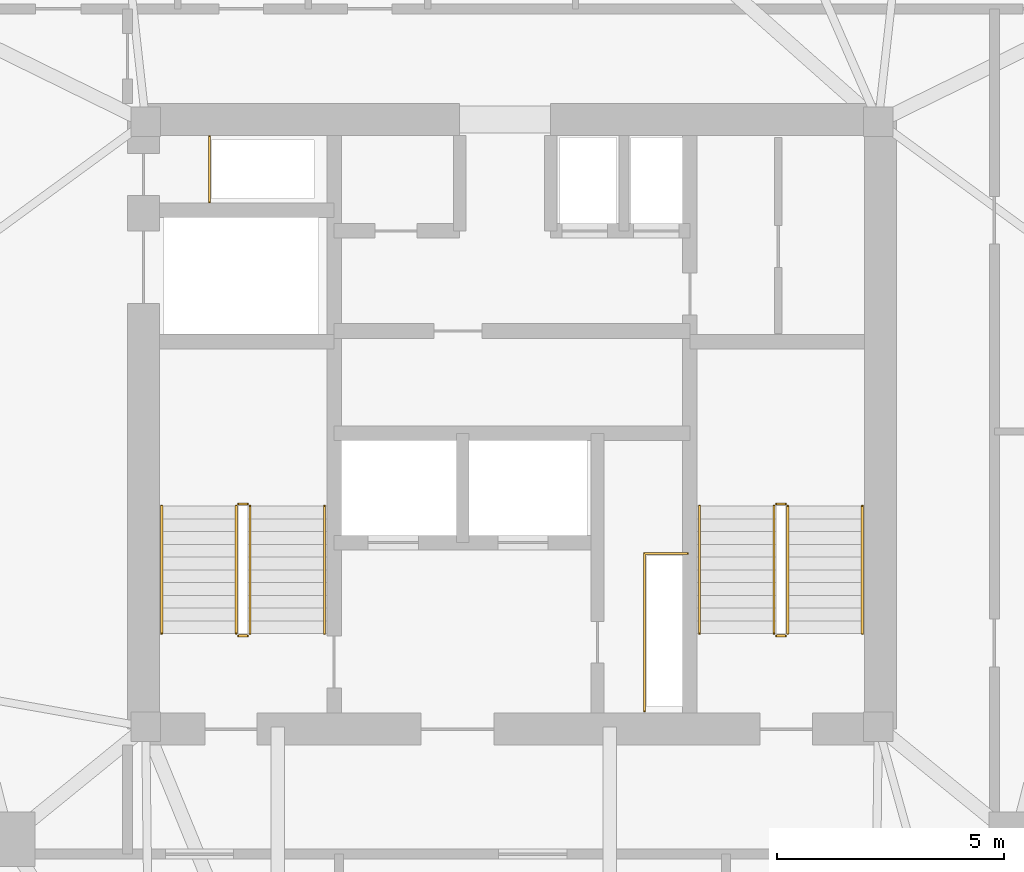
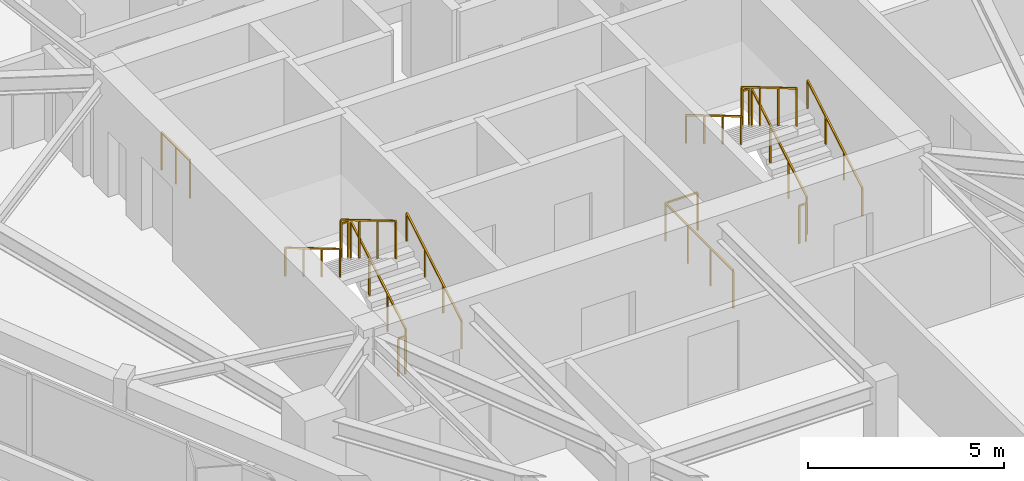
# One storey, part 11 of 11: 14 railings.
"""IFC4 building model written with IfcOpenShell, lengths in metres."""

import ifcopenshell
import ifcopenshell.guid

model = None  # the IFC model being written
_history = None  # IfcOwnerHistory: only IFC2X3 demands one
_inside = {}  # id of a spatial element -> (the spatial element, [elements in it])
_under = {}  # id of a project, library or spatial element -> (it, [spatial elements below it])
_declared = {}  # id of a project -> (the project, [libraries it declares])
_typed = {}  # id of a type object -> (the type object, [elements of that type])
_made_of = {}  # id of a material, layer set ... -> (it, [elements and type objects made of it])


def new_model(schema):
    """Start an empty IFC model of exactly this schema.

    Asked for "IFC4X3", IfcOpenShell would pick the latest addendum, in which some entities
    have other attributes; the version numbers below select the first issue.
    IFC2X3 requires an IfcOwnerHistory on every rooted entity: one is made here for all.
    """
    global model, _history
    if schema == "IFC4X3":
        model = ifcopenshell.file(schema_version=(4, 3, 0, 0))
    else:
        model = ifcopenshell.file(schema=schema)
    _inside.clear()
    _under.clear()
    _declared.clear()
    _typed.clear()
    _made_of.clear()
    _history = None
    if model.schema == "IFC2X3":
        org = make("IfcOrganization", Name="unknown")
        user = make(
            "IfcPersonAndOrganization",
            ThePerson=make("IfcPerson", FamilyName="unknown"),
            TheOrganization=org,
        )
        app = make(
            "IfcApplication",
            ApplicationDeveloper=org,
            Version="unknown",
            ApplicationFullName="unknown",
            ApplicationIdentifier="unknown",
        )
        _history = make(
            "IfcOwnerHistory",
            OwningUser=user,
            OwningApplication=app,
            ChangeAction="ADDED",
            CreationDate=0,
        )
    return model


def make(cls, **values):
    """One entity of the class cls with the attributes given. An attribute that is None is left unset."""
    return model.create_entity(
        cls, **{name: value for name, value in values.items() if value is not None}
    )


def rooted(cls, **values):
    """An entity with a GlobalId (a new one), such as an element, a storey or a relation."""
    return make(cls, GlobalId=ifcopenshell.guid.new(), OwnerHistory=_history, **values)


def si_unit(unit_type, name, prefix=None):
    """IfcSIUnit, for example si_unit("LENGTHUNIT", "METRE", prefix="MILLI")."""
    return make("IfcSIUnit", UnitType=unit_type, Prefix=prefix, Name=name)


def assignment(units):
    """IfcUnitAssignment: the units of a project."""
    return None if units is None else make("IfcUnitAssignment", Units=units)


def point(xyz):
    """IfcCartesianPoint."""
    return None if xyz is None else make("IfcCartesianPoint", Coordinates=xyz)


def direction(xyz):
    """IfcDirection."""
    return None if xyz is None else make("IfcDirection", DirectionRatios=xyz)


def frame(location, z_axis=None, x_axis=None):
    """IfcAxis2Placement3D, a coordinate frame: its origin and axes. An axis left out is left unset."""
    return make(
        "IfcAxis2Placement3D",
        Location=point(location),
        Axis=direction(z_axis),
        RefDirection=direction(x_axis),
    )


def frame_2d(location, x_axis=None):
    """IfcAxis2Placement2D, a coordinate frame in the plane: its origin and x axis."""
    return make(
        "IfcAxis2Placement2D", Location=point(location), RefDirection=direction(x_axis)
    )


def origin():
    """The frame at (0, 0, 0) with its axes left unset."""
    return frame((0.0, 0.0, 0.0))


def origin_2d():
    """The frame at (0, 0) in the plane with its x axis left unset."""
    return frame_2d((0.0, 0.0))


def place(relative_to, where):
    """IfcLocalPlacement: puts the frame where relative to a parent placement (None: the world)."""
    return make(
        "IfcLocalPlacement", PlacementRelTo=relative_to, RelativePlacement=where
    )


def context(
    kind, dimensions, precision=None, world=None, true_north=None, identifier=None
):
    """IfcGeometricRepresentationContext, for example the 3D "Model" context."""
    return make(
        "IfcGeometricRepresentationContext",
        ContextIdentifier=identifier,
        ContextType=kind,
        CoordinateSpaceDimension=dimensions,
        Precision=precision,
        WorldCoordinateSystem=world,
        TrueNorth=true_north,
    )


def subcontext(parent, identifier, kind, view, scale=None):
    """IfcGeometricRepresentationSubContext, for example "Body" below "Model"."""
    return make(
        "IfcGeometricRepresentationSubContext",
        ContextIdentifier=identifier,
        ContextType=kind,
        ParentContext=parent,
        TargetScale=scale,
        TargetView=view,
    )


def project(units=None, contexts=None):
    """IfcProject with its units and contexts."""
    return rooted(
        "IfcProject",
        Name="project",
        RepresentationContexts=contexts,
        UnitsInContext=assignment(units),
    )


def spatial(cls, under=None, at=None, **own):
    """A site, building, storey or space (cls), placed at a placement, below another one or the project."""
    s = rooted(cls, ObjectPlacement=at, **own)
    if under is not None:
        _under.setdefault(under.id(), (under, []))[1].append(s)
    return s


def profile(cls, at=None, kind="AREA", **sizes):
    """A parametric profile (cls). Its sizes go by their IFC names, for example OverallWidth=200.0."""
    return make(cls, ProfileType=kind, Position=at, **sizes)


def rectangle(**sizes):
    """IfcRectangleProfileDef."""
    return profile("IfcRectangleProfileDef", **sizes)


def extrude(swept, where, along, depth):
    """IfcExtrudedAreaSolid: the profile swept, set in the frame where, extruded along a direction by depth."""
    return make(
        "IfcExtrudedAreaSolid",
        SweptArea=swept,
        Position=where,
        ExtrudedDirection=direction(along),
        Depth=depth,
    )


def shape(context_of_items, identifier, shape_type, items):
    """IfcShapeRepresentation: the items that make up one representation, for example the "Body"."""
    return make(
        "IfcShapeRepresentation",
        ContextOfItems=context_of_items,
        RepresentationIdentifier=identifier,
        RepresentationType=shape_type,
        Items=items,
    )


def material(Name=None, Category=None):
    """IfcMaterial."""
    return make("IfcMaterial", Name=Name, Category=Category)


def made_of(thing, what):
    """Note that an element or type object is made of a material, layer set ...; save() writes the relation."""
    if what is not None:
        _made_of.setdefault(what.id(), (what, []))[1].append(thing)
    return thing


def type_object(cls, material=None, **own):
    """A type object (cls), such as IfcWallType, which elements share."""
    return made_of(rooted(cls, **own), material)


def element(
    cls,
    number,
    at=None,
    inside=None,
    cuts=None,
    type_object=None,
    material=None,
    context=None,
    identifier="Body",
    shape_type=None,
    held_by="IfcProductDefinitionShape",
    body=None,
    shapes=None,
    **own,
):
    """One element of the class cls, such as IfcWall. Its Tag is "e" and its number.

    at: its placement. inside: the storey or other place that contains it. cuts: it is an
    opening in that element (IfcRelVoidsElement). A single representation is given by context,
    identifier, shape_type and body (its items); several are given by shapes. held_by: the class
    of the entity that holds the representations. save() writes the other relations.
    """
    e = rooted(cls, Tag="e%d" % number, ObjectPlacement=at, **own)
    if body is not None:
        shapes = [shape(context, identifier, shape_type, body)]
    if shapes is not None:
        e.Representation = make(held_by, Representations=shapes)
    if inside is not None:
        _inside.setdefault(inside.id(), (inside, []))[1].append(e)
    if cuts is not None:
        rooted(
            "IfcRelVoidsElement", RelatingBuildingElement=cuts, RelatedOpeningElement=e
        )
    if type_object is not None:
        _typed.setdefault(type_object.id(), (type_object, []))[1].append(e)
    return made_of(e, material)


def aggregate(whole, parts):
    """IfcRelAggregates: a whole, such as a stair, and the parts it consists of."""
    return rooted("IfcRelAggregates", RelatingObject=whole, RelatedObjects=parts)


def save(model, path):
    """Write the relations noted so far, then the file.

    IfcRelAggregates (storeys below a building ...), IfcRelContainedInSpatialStructure (elements
    in a storey), IfcRelDefinesByType, IfcRelAssociatesMaterial and IfcRelDeclares: one each for
    every whole, place, type object, material and project.
    """
    for whole, parts in _under.values():
        aggregate(whole, parts)
    for where, things in _inside.values():
        rooted(
            "IfcRelContainedInSpatialStructure",
            RelatedElements=things,
            RelatingStructure=where,
        )
    for kind, things in _typed.values():
        rooted("IfcRelDefinesByType", RelatedObjects=things, RelatingType=kind)
    for what, things in _made_of.values():
        rooted("IfcRelAssociatesMaterial", RelatedObjects=things, RelatingMaterial=what)
    for by, libraries in _declared.values():
        rooted("IfcRelDeclares", RelatingContext=by, RelatedDefinitions=libraries)
    model.write(path)


model = new_model("IFC4")

# Units and contexts
model_context = context("Model", 3, precision=1e-05, world=origin(), true_north=direction((0.0, 1.0)))
body_context = subcontext(model_context, "Body", "Model", "MODEL_VIEW")
ifc_project = project(units=[si_unit("LENGTHUNIT", "METRE"), si_unit("AREAUNIT", "SQUARE_METRE"), si_unit("VOLUMEUNIT", "CUBIC_METRE"), si_unit("PLANEANGLEUNIT", "RADIAN"), si_unit("MASSUNIT", "GRAM", prefix="KILO")], contexts=[model_context])

# Site, building, storey
site_placement = place(None, origin())
site = spatial("IfcSite", under=ifc_project, at=site_placement, CompositionType="ELEMENT")
building_placement = place(site_placement, origin())
building = spatial("IfcBuilding", under=site, at=building_placement, Name="Talyreon Biosciences Tower", CompositionType="ELEMENT")
storey_placement = place(building_placement, frame((0.0, 0.0, 264.449951171875)))
storey = spatial("IfcBuildingStorey", under=building, at=storey_placement, Name="L70", CompositionType="ELEMENT", Elevation=264.449951171875)

# Railings
ifc_material_1 = material(Name="Brushed stainless-steel tubular handrail", Category="steel")
railing_type_1 = type_object("IfcRailingType", Name="StairWallHandrail_900", PredefinedType="HANDRAIL", material=ifc_material_1)
railing_1_placement = place(storey_placement, frame((61.8798828125, 63.39990234375, 0.166015625)))
element("IfcRailing", 1, at=railing_1_placement, inside=storey, type_object=railing_type_1, Name="L70 ST-1 stair handrail 1", PredefinedType="HANDRAIL", context=body_context, shape_type="SweptSolid", body=[
    extrude(rectangle(XDim=0.048095703125, YDim=0.048095703125, at=origin_2d()), frame((0.0, 0.0, 0.8759765625), z_axis=(0.0, 0.860339051648, 0.50972219513), x_axis=(-1.0, 0.0, 0.0)), (0.0, 0.0, 1.0), 3.254638671875),
    extrude(rectangle(XDim=0.0419921875, YDim=0.0419921875, at=origin_2d()), origin(), (0.0, 0.0, 1.0), 0.851806640625),
    extrude(rectangle(XDim=0.0419921875, YDim=0.0419921875, at=origin_2d()), frame((0.0, 0.933349609375, 0.552978515625)), (0.0, 0.0, 1.0), 0.851806640625),
    extrude(rectangle(XDim=0.0419921875, YDim=0.0419921875, at=origin_2d()), frame((0.0, 1.86669921875, 1.10595703125)), (0.0, 0.0, 1.0), 0.851806640625),
    extrude(rectangle(XDim=0.0419921875, YDim=0.0419921875, at=origin_2d()), frame((0.0, 2.800048828125, 1.658935546875)), (0.0, 0.0, 1.0), 0.851806640625),
])
railing_2_placement = place(storey_placement, frame((58.300048828125, 66.199951171875, 1.990966796875)))
element("IfcRailing", 2, at=railing_2_placement, inside=storey, type_object=railing_type_1, Name="L70 ST-1 stair handrail 2", PredefinedType="HANDRAIL", context=body_context, shape_type="SweptSolid", body=[
    extrude(rectangle(XDim=0.048095703125, YDim=0.048095703125, at=origin_2d()), frame((0.0, 0.0, 0.8759765625), z_axis=(0.0, -0.860306154799, 0.50977771628), x_axis=(1.0, 0.0, 0.0)), (0.0, 0.0, 1.0), 3.254638671875),
    extrude(rectangle(XDim=0.0419921875, YDim=0.0419921875, at=origin_2d()), origin(), (0.0, 0.0, 1.0), 0.851806640625),
    extrude(rectangle(XDim=0.0419921875, YDim=0.0419921875, at=origin_2d()), frame((0.0, -0.933349609375, 0.552978515625)), (0.0, 0.0, 1.0), 0.851806640625),
    extrude(rectangle(XDim=0.0419921875, YDim=0.0419921875, at=origin_2d()), frame((0.0, -1.86669921875, 1.106201171875)), (0.0, 0.0, 1.0), 0.851806640625),
    extrude(rectangle(XDim=0.0419921875, YDim=0.0419921875, at=origin_2d()), frame((0.0, -2.800048828125, 1.6591796875)), (0.0, 0.0, 1.0), 0.851806640625),
])
railing_3_placement = place(storey_placement, frame((73.699951171875, 63.39990234375, 0.166015625)))
element("IfcRailing", 3, at=railing_3_placement, inside=storey, type_object=railing_type_1, Name="L70 ST-2 stair handrail 1", PredefinedType="HANDRAIL", context=body_context, shape_type="SweptSolid", body=[
    extrude(rectangle(XDim=0.048095703125, YDim=0.048095703125, at=origin_2d()), frame((0.0, 0.0, 0.8759765625), z_axis=(0.0, 0.860339051648, 0.50972219513), x_axis=(-1.0, 0.0, 0.0)), (0.0, 0.0, 1.0), 3.254638671875),
    extrude(rectangle(XDim=0.0419921875, YDim=0.0419921875, at=origin_2d()), origin(), (0.0, 0.0, 1.0), 0.851806640625),
    extrude(rectangle(XDim=0.0419921875, YDim=0.0419921875, at=origin_2d()), frame((0.0, 0.933349609375, 0.552978515625)), (0.0, 0.0, 1.0), 0.851806640625),
    extrude(rectangle(XDim=0.0419921875, YDim=0.0419921875, at=origin_2d()), frame((0.0, 1.86669921875, 1.10595703125)), (0.0, 0.0, 1.0), 0.851806640625),
    extrude(rectangle(XDim=0.0419921875, YDim=0.0419921875, at=origin_2d()), frame((0.0, 2.800048828125, 1.658935546875)), (0.0, 0.0, 1.0), 0.851806640625),
])
railing_4_placement = place(storey_placement, frame((70.1201171875, 66.199951171875, 1.990966796875)))
element("IfcRailing", 4, at=railing_4_placement, inside=storey, type_object=railing_type_1, Name="L70 ST-2 stair handrail 2", PredefinedType="HANDRAIL", context=body_context, shape_type="SweptSolid", body=[
    extrude(rectangle(XDim=0.048095703125, YDim=0.048095703125, at=origin_2d()), frame((0.0, 0.0, 0.8759765625), z_axis=(0.0, -0.860306154799, 0.50977771628), x_axis=(1.0, 0.0, 0.0)), (0.0, 0.0, 1.0), 3.254638671875),
    extrude(rectangle(XDim=0.0419921875, YDim=0.0419921875, at=origin_2d()), origin(), (0.0, 0.0, 1.0), 0.851806640625),
    extrude(rectangle(XDim=0.0419921875, YDim=0.0419921875, at=origin_2d()), frame((0.0, -0.933349609375, 0.552978515625)), (0.0, 0.0, 1.0), 0.851806640625),
    extrude(rectangle(XDim=0.0419921875, YDim=0.0419921875, at=origin_2d()), frame((0.0, -1.86669921875, 1.106201171875)), (0.0, 0.0, 1.0), 0.851806640625),
    extrude(rectangle(XDim=0.0419921875, YDim=0.0419921875, at=origin_2d()), frame((0.0, -2.800048828125, 1.6591796875)), (0.0, 0.0, 1.0), 0.851806640625),
])
ifc_material_2 = material(Name="Painted galvanised steel post-and-rail balustrade", Category="steel")
railing_type_2 = type_object("IfcRailingType", Name="TerraceStairGuard_1200", PredefinedType="GUARDRAIL", material=ifc_material_2)
railing_5_placement = place(storey_placement, frame((60.239990234375, 63.39990234375, 0.166015625)))
element("IfcRailing", 5, at=railing_5_placement, inside=storey, type_object=railing_type_2, Name="L70 ST-1 stair guard 1", PredefinedType="GUARDRAIL", context=body_context, shape_type="SweptSolid", body=[
    extrude(rectangle(XDim=0.048095703125, YDim=0.048095703125, at=origin_2d()), frame((0.0, 0.0, 1.17578125), z_axis=(0.0, 0.860339051648, 0.50972219513), x_axis=(-1.0, 0.0, 0.0)), (0.0, 0.0, 1.0), 3.254638671875),
    extrude(rectangle(XDim=0.0419921875, YDim=0.0419921875, at=origin_2d()), origin(), (0.0, 0.0, 1.0), 1.15185546875),
    extrude(rectangle(XDim=0.0419921875, YDim=0.0419921875, at=origin_2d()), frame((0.0, 0.933349609375, 0.552978515625)), (0.0, 0.0, 1.0), 1.15185546875),
    extrude(rectangle(XDim=0.0419921875, YDim=0.0419921875, at=origin_2d()), frame((0.0, 1.86669921875, 1.10595703125)), (0.0, 0.0, 1.0), 1.15185546875),
    extrude(rectangle(XDim=0.0419921875, YDim=0.0419921875, at=origin_2d()), frame((0.0, 2.800048828125, 1.658935546875)), (0.0, 0.0, 1.0), 1.15185546875),
])
railing_6_placement = place(storey_placement, frame((60.18994140625, 66.25, 1.824951171875)))
element("IfcRailing", 6, at=railing_6_placement, inside=storey, type_object=railing_type_2, Name="L70 ST-1 stair guard 2", PredefinedType="GUARDRAIL", context=body_context, shape_type="SweptSolid", body=[
    extrude(rectangle(XDim=0.048095703125, YDim=0.048095703125, at=origin_2d()), frame((0.0, 0.0, 1.17578125), z_axis=(-1.0, 0.0, 0.0), x_axis=(0.0, -1.0, 0.0)), (0.0, 0.0, 1.0), 0.199951171875),
    extrude(rectangle(XDim=0.0419921875, YDim=0.0419921875, at=origin_2d()), origin(), (0.0, 0.0, 1.0), 1.15185546875),
    extrude(rectangle(XDim=0.0419921875, YDim=0.0419921875, at=origin_2d()), frame((-0.199951171875, 0.0, 0.0)), (0.0, 0.0, 1.0), 1.15185546875),
])
railing_7_placement = place(storey_placement, frame((59.93994140625, 66.199951171875, 1.990966796875)))
element("IfcRailing", 7, at=railing_7_placement, inside=storey, type_object=railing_type_2, Name="L70 ST-1 stair guard 3", PredefinedType="GUARDRAIL", context=body_context, shape_type="SweptSolid", body=[
    extrude(rectangle(XDim=0.048095703125, YDim=0.048095703125, at=origin_2d()), frame((0.0, 0.0, 1.17578125), z_axis=(0.0, -0.860306154799, 0.50977771628), x_axis=(1.0, 0.0, 0.0)), (0.0, 0.0, 1.0), 3.254638671875),
    extrude(rectangle(XDim=0.0419921875, YDim=0.0419921875, at=origin_2d()), origin(), (0.0, 0.0, 1.0), 1.15185546875),
    extrude(rectangle(XDim=0.0419921875, YDim=0.0419921875, at=origin_2d()), frame((0.0, -0.933349609375, 0.552978515625)), (0.0, 0.0, 1.0), 1.15185546875),
    extrude(rectangle(XDim=0.0419921875, YDim=0.0419921875, at=origin_2d()), frame((0.0, -1.86669921875, 1.106201171875)), (0.0, 0.0, 1.0), 1.15185546875),
    extrude(rectangle(XDim=0.0419921875, YDim=0.0419921875, at=origin_2d()), frame((0.0, -2.800048828125, 1.6591796875)), (0.0, 0.0, 1.0), 1.15185546875),
])
railing_8_placement = place(storey_placement, frame((60.18994140625, 63.35009765625, 0.0)))
element("IfcRailing", 8, at=railing_8_placement, inside=storey, type_object=railing_type_2, Name="L70 ST-1 stair guard 4", PredefinedType="GUARDRAIL", context=body_context, shape_type="SweptSolid", body=[
    extrude(rectangle(XDim=0.048095703125, YDim=0.048095703125, at=origin_2d()), frame((0.0, 0.0, 1.17578125), z_axis=(-1.0, 0.0, 0.0), x_axis=(0.0, -1.0, 0.0)), (0.0, 0.0, 1.0), 0.199951171875),
    extrude(rectangle(XDim=0.0419921875, YDim=0.0419921875, at=origin_2d()), origin(), (0.0, 0.0, 1.0), 1.15185546875),
    extrude(rectangle(XDim=0.0419921875, YDim=0.0419921875, at=origin_2d()), frame((-0.199951171875, 0.0, 0.0)), (0.0, 0.0, 1.0), 1.15185546875),
])
railing_9_placement = place(storey_placement, frame((72.06005859375, 63.39990234375, 0.166015625)))
element("IfcRailing", 9, at=railing_9_placement, inside=storey, type_object=railing_type_2, Name="L70 ST-2 stair guard 1", PredefinedType="GUARDRAIL", context=body_context, shape_type="SweptSolid", body=[
    extrude(rectangle(XDim=0.048095703125, YDim=0.048095703125, at=origin_2d()), frame((0.0, 0.0, 1.17578125), z_axis=(0.0, 0.860339051648, 0.50972219513), x_axis=(-1.0, 0.0, 0.0)), (0.0, 0.0, 1.0), 3.254638671875),
    extrude(rectangle(XDim=0.0419921875, YDim=0.0419921875, at=origin_2d()), origin(), (0.0, 0.0, 1.0), 1.15185546875),
    extrude(rectangle(XDim=0.0419921875, YDim=0.0419921875, at=origin_2d()), frame((0.0, 0.933349609375, 0.552978515625)), (0.0, 0.0, 1.0), 1.15185546875),
    extrude(rectangle(XDim=0.0419921875, YDim=0.0419921875, at=origin_2d()), frame((0.0, 1.86669921875, 1.10595703125)), (0.0, 0.0, 1.0), 1.15185546875),
    extrude(rectangle(XDim=0.0419921875, YDim=0.0419921875, at=origin_2d()), frame((0.0, 2.800048828125, 1.658935546875)), (0.0, 0.0, 1.0), 1.15185546875),
])
railing_10_placement = place(storey_placement, frame((72.010009765625, 66.25, 1.824951171875)))
element("IfcRailing", 10, at=railing_10_placement, inside=storey, type_object=railing_type_2, Name="L70 ST-2 stair guard 2", PredefinedType="GUARDRAIL", context=body_context, shape_type="SweptSolid", body=[
    extrude(rectangle(XDim=0.048095703125, YDim=0.048095703125, at=origin_2d()), frame((0.0, 0.0, 1.17578125), z_axis=(-1.0, 0.0, 0.0), x_axis=(0.0, -1.0, 0.0)), (0.0, 0.0, 1.0), 0.199951171875),
    extrude(rectangle(XDim=0.0419921875, YDim=0.0419921875, at=origin_2d()), origin(), (0.0, 0.0, 1.0), 1.15185546875),
    extrude(rectangle(XDim=0.0419921875, YDim=0.0419921875, at=origin_2d()), frame((-0.199951171875, 0.0, 0.0)), (0.0, 0.0, 1.0), 1.15185546875),
])
railing_11_placement = place(storey_placement, frame((71.760009765625, 66.199951171875, 1.990966796875)))
element("IfcRailing", 11, at=railing_11_placement, inside=storey, type_object=railing_type_2, Name="L70 ST-2 stair guard 3", PredefinedType="GUARDRAIL", context=body_context, shape_type="SweptSolid", body=[
    extrude(rectangle(XDim=0.048095703125, YDim=0.048095703125, at=origin_2d()), frame((0.0, 0.0, 1.17578125), z_axis=(0.0, -0.860306154799, 0.50977771628), x_axis=(1.0, 0.0, 0.0)), (0.0, 0.0, 1.0), 3.254638671875),
    extrude(rectangle(XDim=0.0419921875, YDim=0.0419921875, at=origin_2d()), origin(), (0.0, 0.0, 1.0), 1.15185546875),
    extrude(rectangle(XDim=0.0419921875, YDim=0.0419921875, at=origin_2d()), frame((0.0, -0.933349609375, 0.552978515625)), (0.0, 0.0, 1.0), 1.15185546875),
    extrude(rectangle(XDim=0.0419921875, YDim=0.0419921875, at=origin_2d()), frame((0.0, -1.86669921875, 1.106201171875)), (0.0, 0.0, 1.0), 1.15185546875),
    extrude(rectangle(XDim=0.0419921875, YDim=0.0419921875, at=origin_2d()), frame((0.0, -2.800048828125, 1.6591796875)), (0.0, 0.0, 1.0), 1.15185546875),
])
railing_12_placement = place(storey_placement, frame((72.010009765625, 63.35009765625, 0.0)))
element("IfcRailing", 12, at=railing_12_placement, inside=storey, type_object=railing_type_2, Name="L70 ST-2 stair guard 4", PredefinedType="GUARDRAIL", context=body_context, shape_type="SweptSolid", body=[
    extrude(rectangle(XDim=0.048095703125, YDim=0.048095703125, at=origin_2d()), frame((0.0, 0.0, 1.17578125), z_axis=(-1.0, 0.0, 0.0), x_axis=(0.0, -1.0, 0.0)), (0.0, 0.0, 1.0), 0.199951171875),
    extrude(rectangle(XDim=0.0419921875, YDim=0.0419921875, at=origin_2d()), origin(), (0.0, 0.0, 1.0), 1.15185546875),
    extrude(rectangle(XDim=0.0419921875, YDim=0.0419921875, at=origin_2d()), frame((-0.199951171875, 0.0, 0.0)), (0.0, 0.0, 1.0), 1.15185546875),
])
railing_13_placement = place(storey_placement, frame((59.35009765625, 72.8798828125, 0.0)))
element("IfcRailing", 13, at=railing_13_placement, inside=storey, type_object=railing_type_2, Name="L70 Exhaust Riser Maintenance Guardrail", PredefinedType="GUARDRAIL", context=body_context, shape_type="SweptSolid", body=[
    extrude(rectangle(XDim=0.048095703125, YDim=0.048095703125, at=origin_2d()), frame((0.0, 0.0, 1.17578125), z_axis=(0.0, 1.0, 0.0), x_axis=(-1.0, 0.0, 0.0)), (0.0, 0.0, 1.0), 1.4501953125),
    extrude(rectangle(XDim=0.0419921875, YDim=0.0419921875, at=origin_2d()), origin(), (0.0, 0.0, 1.0), 1.15185546875),
    extrude(rectangle(XDim=0.0419921875, YDim=0.0419921875, at=origin_2d()), frame((0.0, 0.72509765625, 0.0)), (0.0, 0.0, 1.0), 1.15185546875),
    extrude(rectangle(XDim=0.0419921875, YDim=0.0419921875, at=origin_2d()), frame((0.0, 1.4501953125, 0.0)), (0.0, 0.0, 1.0), 1.15185546875),
])
railing_14_placement = place(storey_placement, frame((68.909912109375, 61.699951171875, 0.0)))
element("IfcRailing", 14, at=railing_14_placement, inside=storey, type_object=railing_type_2, Name="L70 Electrical Riser Maintenance Guardrail", PredefinedType="GUARDRAIL", context=body_context, shape_type="SweptSolid", body=[
    extrude(rectangle(XDim=0.048095703125, YDim=0.048095703125, at=origin_2d()), frame((0.0, 0.0, 1.17578125), z_axis=(0.0, 1.0, 0.0), x_axis=(-1.0, 0.0, 0.0)), (0.0, 0.0, 1.0), 3.4599609375),
    extrude(rectangle(XDim=0.048095703125, YDim=0.048095703125, at=origin_2d()), frame((0.0, 3.4599609375, 1.17578125), z_axis=(1.0, 0.0, 0.0), x_axis=(0.0, 1.0, 0.0)), (0.0, 0.0, 1.0), 0.9501953125),
    extrude(rectangle(XDim=0.0419921875, YDim=0.0419921875, at=origin_2d()), origin(), (0.0, 0.0, 1.0), 1.15185546875),
    extrude(rectangle(XDim=0.0419921875, YDim=0.0419921875, at=origin_2d()), frame((0.0, 1.1533203125, 0.0)), (0.0, 0.0, 1.0), 1.15185546875),
    extrude(rectangle(XDim=0.0419921875, YDim=0.0419921875, at=origin_2d()), frame((0.0, 2.306640625, 0.0)), (0.0, 0.0, 1.0), 1.15185546875),
    extrude(rectangle(XDim=0.0419921875, YDim=0.0419921875, at=origin_2d()), frame((0.0, 3.4599609375, 0.0)), (0.0, 0.0, 1.0), 1.15185546875),
    extrude(rectangle(XDim=0.0419921875, YDim=0.0419921875, at=origin_2d()), frame((0.9501953125, 3.4599609375, 0.0)), (0.0, 0.0, 1.0), 1.15185546875),
])

save(model, "model.ifc")
